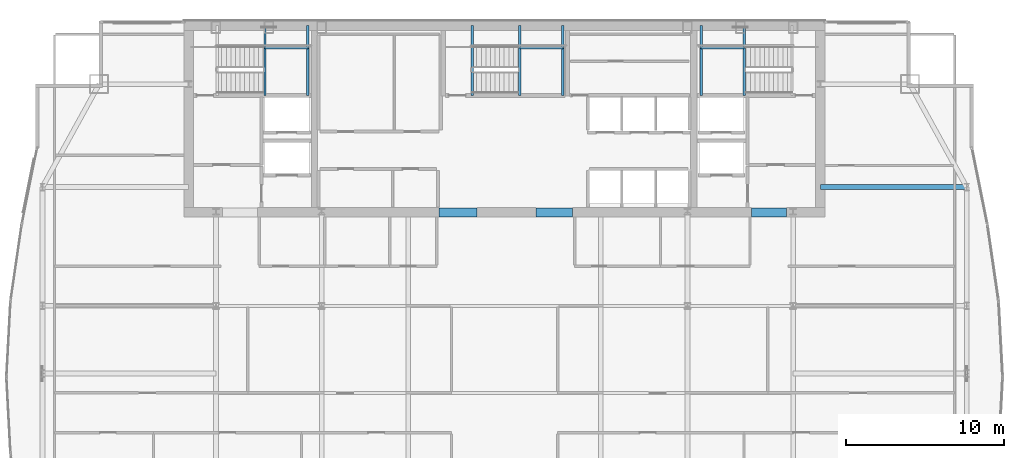
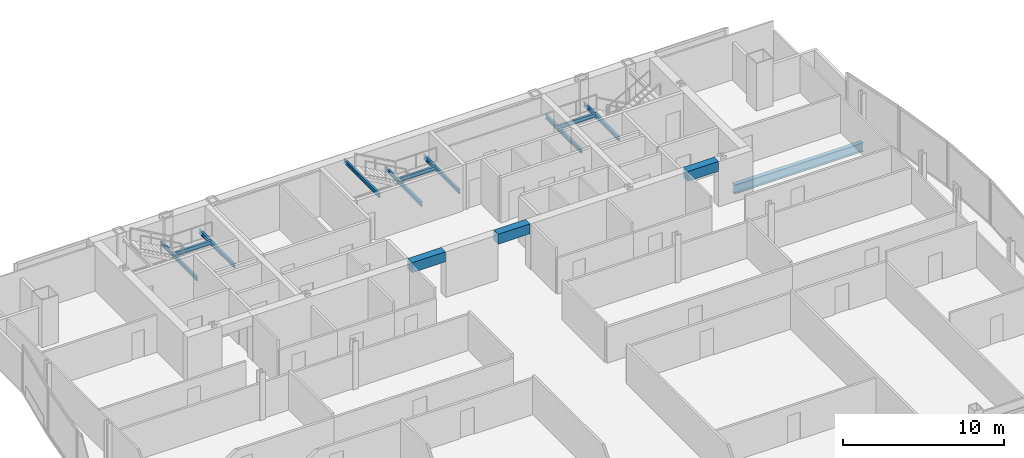
# One storey, part 22 of 30: 14 beams.
"""IFC4 building model written with IfcOpenShell, lengths in metres."""

from ifc_helpers import new_model, si_unit, direction, frame, origin, origin_2d, place, context, subcontext, project, spatial, rectangle, i_section, extrude, material, material_profile, profile_set, type_object, element, save


model = new_model("IFC4")

# Units and contexts
model_context = context("Model", 3, precision=1e-05, world=origin(), true_north=direction((0.0, 1.0)))
body_context = subcontext(model_context, "Body", "Model", "MODEL_VIEW")
ifc_project = project(units=[si_unit("LENGTHUNIT", "METRE"), si_unit("AREAUNIT", "SQUARE_METRE"), si_unit("VOLUMEUNIT", "CUBIC_METRE"), si_unit("PLANEANGLEUNIT", "RADIAN"), si_unit("MASSUNIT", "GRAM", prefix="KILO")], contexts=[model_context])

# Site, building, storey
site_placement = place(None, origin())
site = spatial("IfcSite", under=ifc_project, at=site_placement, CompositionType="ELEMENT")
building_placement = place(site_placement, origin())
building = spatial("IfcBuilding", under=site, at=building_placement, Name="Khoronbel Lancet Exchange", CompositionType="ELEMENT")
storey_placement = place(building_placement, frame((0.0, 0.0, 206.60009765625)))
storey = spatial("IfcBuildingStorey", under=building, at=storey_placement, Name="L52", CompositionType="ELEMENT", Elevation=206.60009765625)

# Beams
ifc_material_1 = material(Name="Steel S355", Category="steel")
ifc_material_profile_1 = material_profile(ifc_material_1, i_section(OverallWidth=0.300048828125, OverallDepth=0.699951171875, WebThickness=0.01708984375, FlangeThickness=0.031982421875, at=origin_2d()), Name="HEB 700")
ifc_profile_set_1 = profile_set([ifc_material_profile_1], Name="Steel S355")
beam_type_1 = type_object("IfcBeamType", Name="BM-BG3", PredefinedType="BEAM", material=ifc_profile_set_1)
beam_1_placement = place(storey_placement, frame((56.39990234375, 43.199951171875, -0.510009765625), z_axis=(1.0, 0.0, 0.0), x_axis=(0.0, 1.0, 0.0)))
element("IfcBeam", 1, at=beam_1_placement, inside=storey, type_object=beam_type_1, Name="Level L52 east lens tie girder LG3E", PredefinedType="BEAM", context=body_context, shape_type="SweptSolid", body=[
    extrude(i_section(OverallWidth=0.300048828125, OverallDepth=0.699951171875, WebThickness=0.01708984375, FlangeThickness=0.031982421875, at=origin_2d()), origin(), (0.0, 0.0, 1.0), 9.22998046875),
])
ifc_material_profile_2 = material_profile(ifc_material_1, i_section(OverallWidth=0.14990234375, OverallDepth=0.300048828125, WebThickness=0.007080078125, FlangeThickness=0.0107421875, at=origin_2d()), Name="IPE 300")
ifc_profile_set_2 = profile_set([ifc_material_profile_2], Name="Steel S355")
beam_type_2 = type_object("IfcBeamType", Name="BM-BJ8", PredefinedType="JOIST", material=ifc_profile_set_2)
for number, where, z_axis, x_axis, name in (
    (2, (21.320068359375, 48.97998046875, 1.449951171875), (0.0, 1.0, 0.0), (-1.0, 0.0, 0.0), "Level L52 stair ST1 landing bearer beam 1"),
    (3, (24.030029296875, 48.97998046875, 1.449951171875), (0.0, 1.0, 0.0), (-1.0, 0.0, 0.0), "Level L52 stair ST1 rear landing bearer beam 1"),
):
    element("IfcBeam", number, at=place(storey_placement, frame(where, z_axis=z_axis, x_axis=x_axis)), inside=storey, type_object=beam_type_2, Name=name, PredefinedType="JOIST", context=body_context, shape_type="SweptSolid", body=[
        extrude(i_section(OverallWidth=0.14990234375, OverallDepth=0.300048828125, WebThickness=0.007080078125, FlangeThickness=0.0107421875, at=origin_2d()), origin(), (0.0, 0.0, 1.0), 4.419921875),
    ])
beam_2_placement = place(storey_placement, frame((21.320068359375, 51.97998046875, 1.449951171875), z_axis=(1.0, 0.0, 0.0), x_axis=(0.0, 1.0, 0.0)))
element("IfcBeam", 4, at=beam_2_placement, inside=storey, type_object=beam_type_2, Name="Level L52 stair ST1 landing cross trimmer beam 1", PredefinedType="JOIST", context=body_context, shape_type="SweptSolid", body=[
    extrude(i_section(OverallWidth=0.14990234375, OverallDepth=0.300048828125, WebThickness=0.007080078125, FlangeThickness=0.0107421875, at=origin_2d()), origin(), (0.0, 0.0, 1.0), 2.7099609375),
])
for number, where, z_axis, x_axis, name in (
    (5, (51.580078125, 48.97998046875, 1.449951171875), (0.0, 1.0, 0.0), (-1.0, 0.0, 0.0), "Level L52 stair ST2 landing bearer beam 1"),
    (6, (48.8701171875, 48.97998046875, 1.449951171875), (0.0, 1.0, 0.0), (-1.0, 0.0, 0.0), "Level L52 stair ST2 rear landing bearer beam 1"),
):
    element("IfcBeam", number, at=place(storey_placement, frame(where, z_axis=z_axis, x_axis=x_axis)), inside=storey, type_object=beam_type_2, Name=name, PredefinedType="JOIST", context=body_context, shape_type="SweptSolid", body=[
        extrude(i_section(OverallWidth=0.14990234375, OverallDepth=0.300048828125, WebThickness=0.007080078125, FlangeThickness=0.0107421875, at=origin_2d()), origin(), (0.0, 0.0, 1.0), 4.419921875),
    ])
beam_3_placement = place(storey_placement, frame((48.8701171875, 51.97998046875, 1.449951171875), z_axis=(1.0, 0.0, 0.0), x_axis=(0.0, 1.0, 0.0)))
element("IfcBeam", 7, at=beam_3_placement, inside=storey, type_object=beam_type_2, Name="Level L52 stair ST2 landing cross trimmer beam 1", PredefinedType="JOIST", context=body_context, shape_type="SweptSolid", body=[
    extrude(i_section(OverallWidth=0.14990234375, OverallDepth=0.300048828125, WebThickness=0.007080078125, FlangeThickness=0.0107421875, at=origin_2d()), origin(), (0.0, 0.0, 1.0), 2.7099609375),
])
for number, where, z_axis, x_axis, name in (
    (8, (37.419921875, 48.97998046875, 1.449951171875), (0.0, 1.0, 0.0), (-1.0, 0.0, 0.0), "Level L52 stair ST3 landing bearer beam 1"),
    (9, (40.1298828125, 48.97998046875, 1.449951171875), (0.0, 1.0, 0.0), (-1.0, 0.0, 0.0), "Level L52 stair ST3 rear landing bearer beam 1"),
):
    element("IfcBeam", number, at=place(storey_placement, frame(where, z_axis=z_axis, x_axis=x_axis)), inside=storey, type_object=beam_type_2, Name=name, PredefinedType="JOIST", context=body_context, shape_type="SweptSolid", body=[
        extrude(i_section(OverallWidth=0.14990234375, OverallDepth=0.300048828125, WebThickness=0.007080078125, FlangeThickness=0.0107421875, at=origin_2d()), origin(), (0.0, 0.0, 1.0), 4.419921875),
    ])
beam_4_placement = place(storey_placement, frame((37.419921875, 51.97998046875, 1.449951171875), z_axis=(1.0, 0.0, 0.0), x_axis=(0.0, 1.0, 0.0)))
element("IfcBeam", 10, at=beam_4_placement, inside=storey, type_object=beam_type_2, Name="Level L52 stair ST3 landing cross trimmer beam 1", PredefinedType="JOIST", context=body_context, shape_type="SweptSolid", body=[
    extrude(i_section(OverallWidth=0.14990234375, OverallDepth=0.300048828125, WebThickness=0.007080078125, FlangeThickness=0.0107421875, at=origin_2d()), origin(), (0.0, 0.0, 1.0), 2.7099609375),
])
beam_5_placement = place(storey_placement, frame((34.39990234375, 48.97998046875, 3.159912109375), z_axis=(0.0, 1.0, 0.0), x_axis=(-1.0, 0.0, 0.0)))
element("IfcBeam", 11, at=beam_5_placement, inside=storey, type_object=beam_type_2, Name="Level L52 stair ST3 upper-flight arrival trimmer beam", PredefinedType="JOIST", context=body_context, shape_type="SweptSolid", body=[
    extrude(i_section(OverallWidth=0.14990234375, OverallDepth=0.300048828125, WebThickness=0.007080078125, FlangeThickness=0.0107421875, at=origin_2d()), origin(), (0.0, 0.0, 1.0), 4.419921875),
])
ifc_material_2 = material(Name="Concrete C60/75", Category="concrete")
ifc_material_profile_3 = material_profile(ifc_material_2, rectangle(XDim=0.550048828125, YDim=0.75, at=origin_2d()), Name="RC 550x750")
ifc_profile_set_3 = profile_set([ifc_material_profile_3], Name="Concrete C60/75")
beam_type_3 = type_object("IfcBeamType", Name="BM-BL2", PredefinedType="LINTEL", material=ifc_profile_set_3)
beam_6_placement = place(storey_placement, frame((32.300048828125, 41.60009765625, 3.06494140625), z_axis=(1.0, 0.0, 0.0), x_axis=(0.0, 1.0, 0.0)))
element("IfcBeam", 12, at=beam_6_placement, inside=storey, type_object=beam_type_3, Name="Level L52 rear core coupling lintel L2", PredefinedType="LINTEL", context=body_context, shape_type="SweptSolid", body=[
    extrude(rectangle(XDim=0.550048828125, YDim=0.75, at=origin_2d()), origin(), (0.0, 0.0, 1.0), 2.39990234375),
])
beam_7_placement = place(storey_placement, frame((38.449951171875, 41.60009765625, 3.06494140625), z_axis=(1.0, 0.0, 0.0), x_axis=(0.0, 1.0, 0.0)))
element("IfcBeam", 13, at=beam_7_placement, inside=storey, type_object=beam_type_3, Name="Level L52 rear core coupling lintel L3", PredefinedType="LINTEL", context=body_context, shape_type="SweptSolid", body=[
    extrude(rectangle(XDim=0.550048828125, YDim=0.75, at=origin_2d()), origin(), (0.0, 0.0, 1.0), 2.300048828125),
])
beam_8_placement = place(storey_placement, frame((52.050048828125, 41.60009765625, 3.06494140625), z_axis=(1.0, 0.0, 0.0), x_axis=(0.0, 1.0, 0.0)))
element("IfcBeam", 14, at=beam_8_placement, inside=storey, type_object=beam_type_3, Name="Level L52 rear core coupling lintel L4", PredefinedType="LINTEL", context=body_context, shape_type="SweptSolid", body=[
    extrude(rectangle(XDim=0.550048828125, YDim=0.75, at=origin_2d()), origin(), (0.0, 0.0, 1.0), 2.199951171875),
])

save(model, "model.ifc")
